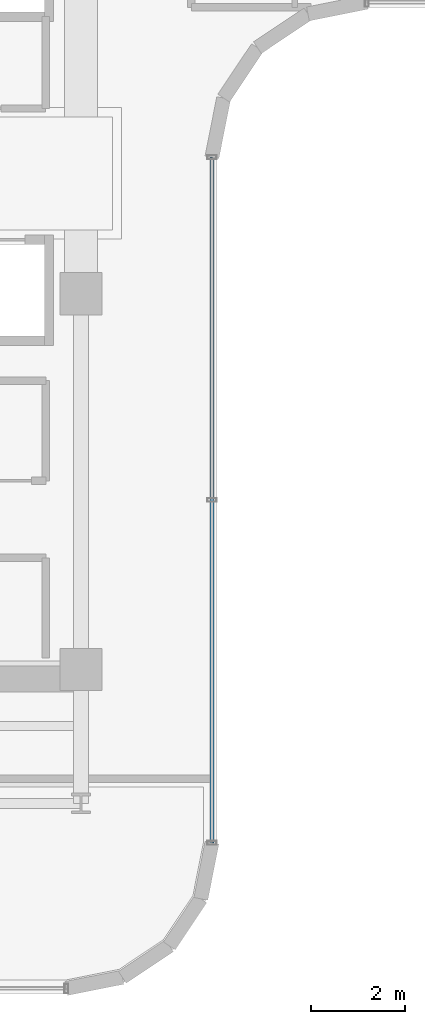
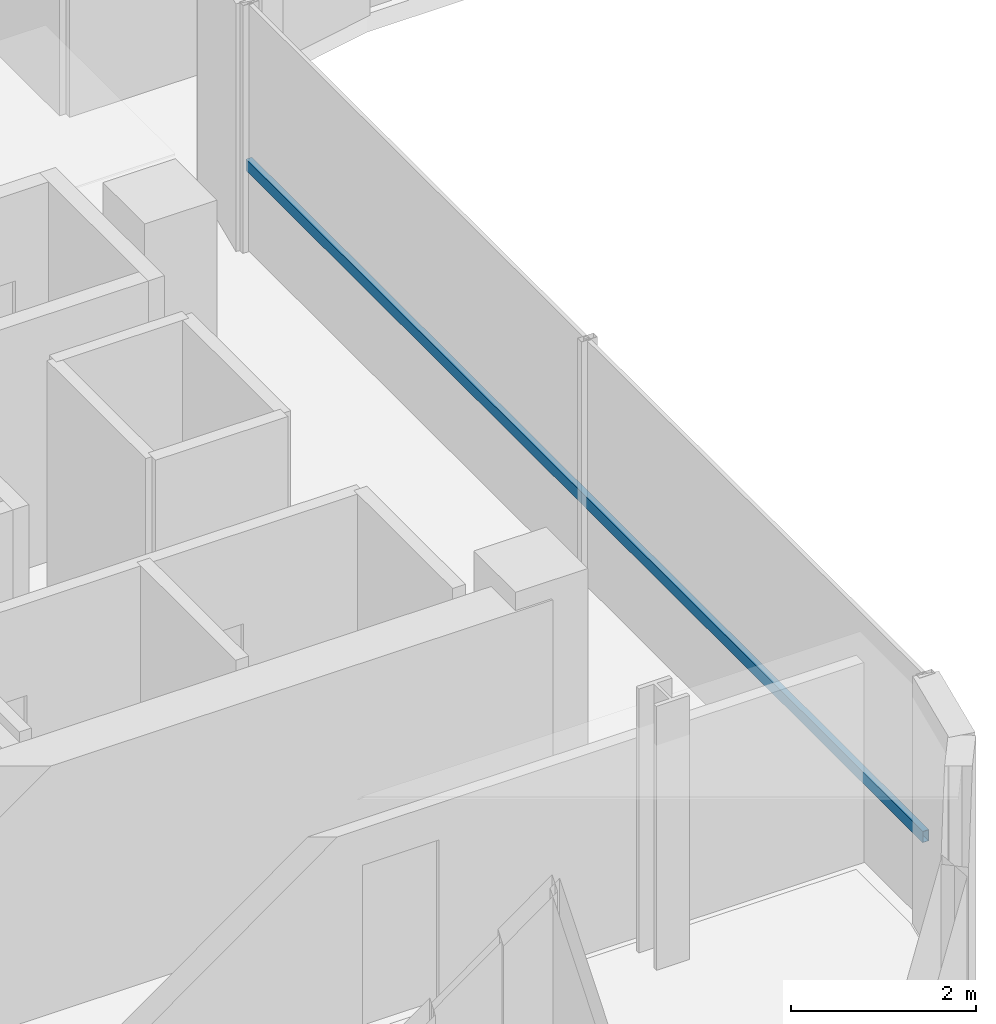
# One storey, part 6 of 22: 1 member, 1 element without a shape of its own.
"""IFC4 building model written with IfcOpenShell, lengths in metres."""

from ifc_helpers import new_model, si_unit, direction, frame, origin, origin_2d, place, context, subcontext, project, spatial, hollow_rectangle, extrude, source, transform, mapped, material, material_profile, profile_set, type_object, element, aggregate, save


model = new_model("IFC4")

# Units and contexts
model_context = context("Model", 3, precision=1e-05, world=origin(), true_north=direction((0.0, 1.0)))
body_context = subcontext(model_context, "Body", "Model", "MODEL_VIEW")
ifc_project = project(units=[si_unit("LENGTHUNIT", "METRE"), si_unit("AREAUNIT", "SQUARE_METRE"), si_unit("VOLUMEUNIT", "CUBIC_METRE"), si_unit("PLANEANGLEUNIT", "RADIAN"), si_unit("MASSUNIT", "GRAM", prefix="KILO")], contexts=[model_context])

# Site, building, storey
site_placement = place(None, origin())
site = spatial("IfcSite", under=ifc_project, at=site_placement, CompositionType="ELEMENT")
building_placement = place(site_placement, origin())
building = spatial("IfcBuilding", under=site, at=building_placement, Name="Valdorenza Pilgrim Sanctuary Tower", CompositionType="ELEMENT")
storey_placement = place(building_placement, frame((0.0, 0.0, 216.0)))
storey = spatial("IfcBuildingStorey", under=building, at=storey_placement, Name="L55", CompositionType="ELEMENT", Elevation=216.0)

# Curtain wall, member
ifc_material_1 = material(Name="Curtain-wall IGU glazing", Category="glass")
curtain_wall_type = type_object("IfcCurtainWallType", Name="CW-SYS-02", PredefinedType="NOTDEFINED", material=ifc_material_1)
curtain_wall_placement = place(storey_placement, origin())
curtain_wall = element("IfcCurtainWall", 1, at=curtain_wall_placement, inside=storey, type_object=curtain_wall_type, Name="L55 Curtain Wall CW-L55-1-21", PredefinedType="NOTDEFINED")
ifc_material_2 = material(Name="Anodised aluminium AW-6060", Category="aluminium")
ifc_material_profile = material_profile(ifc_material_2, hollow_rectangle(XDim=0.074951171875, YDim=0.14990234375, WallThickness=0.00390625, at=origin_2d()), Name="ALU-T 150x75x4")
ifc_profile_set = profile_set([ifc_material_profile], Name="Anodised aluminium AW-6060")
member_type = type_object("IfcMemberType", Name="CW-TRN-02", PredefinedType="USERDEFINED", material=ifc_profile_set)
shared_shape = source(origin(), body_context, "Body", "SweptSolid", [
    extrude(hollow_rectangle(XDim=0.074951171875, YDim=0.14990234375, WallThickness=0.00390625, at=origin_2d()), origin(), (0.0, 0.0, 1.0), 14.60009765625),
])
member_placement = place(storey_placement, frame((-9.610107421875, 0.310791015625, 1.1201171875), z_axis=(0.0, -1.0, 0.0), x_axis=(1.0, 0.0, 0.0)))
member = element("IfcMember", 2, at=member_placement, type_object=member_type, Name="CW-L55-1-21 Transom 1", ObjectType="TRANSOM", PredefinedType="USERDEFINED", context=body_context, shape_type="MappedRepresentation", body=[
    mapped(shared_shape, transform((0.0, 0.0, 0.0), x_axis=(1.0, 0.0, 0.0), y_axis=(0.0, 1.0, 0.0), z_axis=(0.0, 0.0, 1.0), scale=1.0)),
])
aggregate(curtain_wall, [member])

save(model, "model.ifc")
